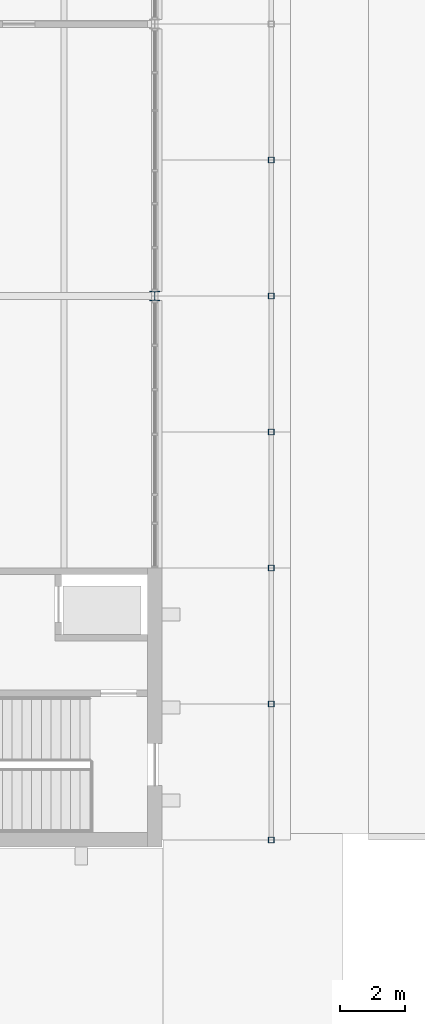
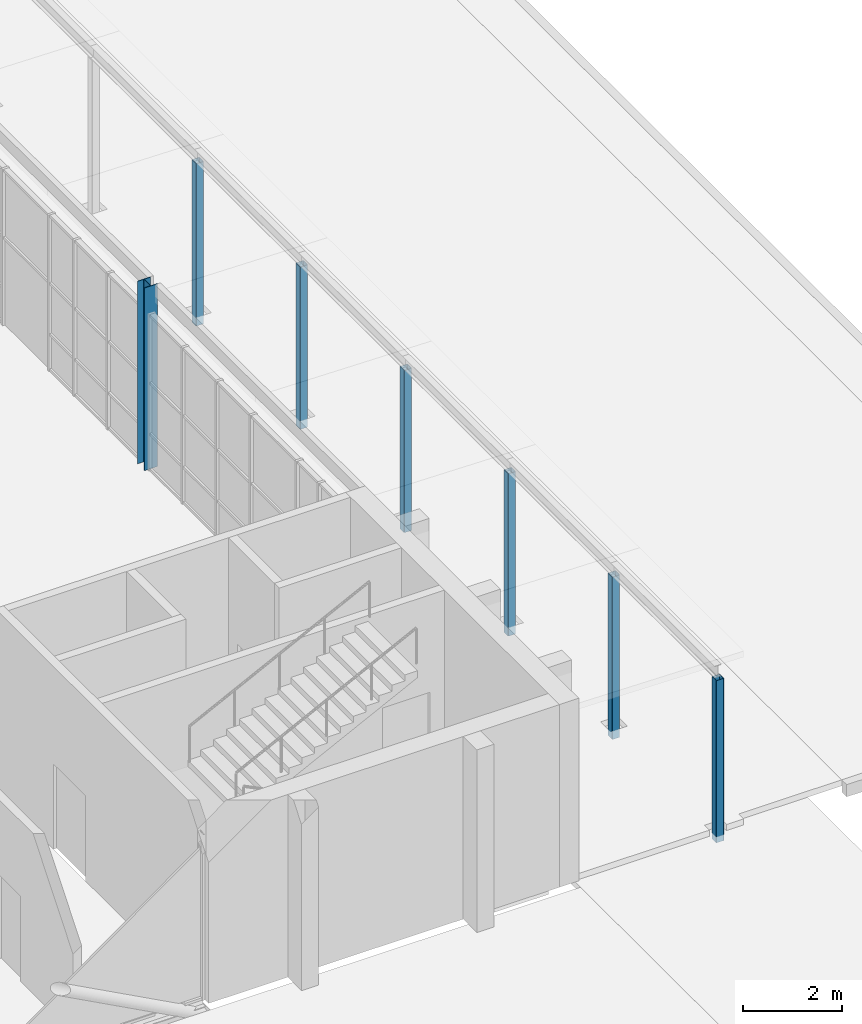
# One storey, part 17 of 116: 7 columns.
"""IFC4 building model written with IfcOpenShell, lengths in metres."""

from ifc_helpers import new_model, si_unit, direction, frame, origin, origin_2d, place, context, subcontext, project, spatial, hollow_rectangle, i_section, extrude, material, material_profile, profile_set, type_object, element, save


model = new_model("IFC4")

# Units and contexts
model_context = context("Model", 3, precision=1e-05, world=origin(), true_north=direction((0.0, 1.0)))
body_context = subcontext(model_context, "Body", "Model", "MODEL_VIEW")
ifc_project = project(units=[si_unit("LENGTHUNIT", "METRE"), si_unit("AREAUNIT", "SQUARE_METRE"), si_unit("VOLUMEUNIT", "CUBIC_METRE"), si_unit("PLANEANGLEUNIT", "RADIAN"), si_unit("MASSUNIT", "GRAM", prefix="KILO")], contexts=[model_context])

# Site, building, storey
site_placement = place(None, origin())
site = spatial("IfcSite", under=ifc_project, at=site_placement, CompositionType="ELEMENT")
building_placement = place(site_placement, origin())
building = spatial("IfcBuilding", under=site, at=building_placement, Name="Ardhachandra Cancer Care Centre", CompositionType="ELEMENT")
storey_placement = place(building_placement, origin())
storey = spatial("IfcBuildingStorey", under=building, at=storey_placement, Name="L00", CompositionType="ELEMENT", Elevation=0.0)

# Columns
ifc_material_1 = material(Name="Steel E350 (IS 2062)", Category="steel")
ifc_material_profile_1 = material_profile(ifc_material_1, hollow_rectangle(XDim=0.179931640625, YDim=0.179931640625, WallThickness=0.008056640625, InnerFilletRadius=0.008056640625, OuterFilletRadius=0.01611328125, at=origin_2d()), Name="SHS 180x180x8.0")
ifc_profile_set_1 = profile_set([ifc_material_profile_1], Name="Steel E350 (IS 2062)")
column_type_1 = type_object("IfcColumnType", Name="Arcade column SHS 180x180x8.0", PredefinedType="COLUMN", material=ifc_profile_set_1)
for number, where, z_axis, x_axis, name in (
    (1, (148.800048828125, 29.39990234375, -0.300048828125), (0.0, 0.0, 1.0), (1.0, 0.0, 0.0), "Arcade column 1"),
    (2, (148.800048828125, 33.60009765625, -0.300048828125), (0.0, 0.0, 1.0), (1.0, 0.0, 0.0), "Arcade column 2"),
    (3, (148.800048828125, 37.800048828125, -0.300048828125), (0.0, 0.0, 1.0), (1.0, 0.0, 0.0), "Arcade column 3"),
    (4, (148.800048828125, 42.0, -0.300048828125), (0.0, 0.0, 1.0), (1.0, 0.0, 0.0), "Arcade column 4"),
    (5, (148.800048828125, 46.199951171875, -0.300048828125), (0.0, 0.0, 1.0), (1.0, 0.0, 0.0), "Arcade column 5"),
    (6, (148.800048828125, 50.39990234375, -0.300048828125), (0.0, 0.0, 1.0), (1.0, 0.0, 0.0), "Arcade column 6"),
):
    element("IfcColumn", number, at=place(storey_placement, frame(where, z_axis=z_axis, x_axis=x_axis)), inside=storey, type_object=column_type_1, Name=name, PredefinedType="COLUMN", context=body_context, shape_type="SweptSolid", body=[
        extrude(hollow_rectangle(XDim=0.179931640625, YDim=0.179931640625, WallThickness=0.008056640625, InnerFilletRadius=0.008056640625, OuterFilletRadius=0.01611328125, at=origin_2d()), origin(), (0.0, 0.0, 1.0), 3.996826171875),
    ])
ifc_material_2 = material(Name="Steel E350 (IS 2062)", Category="steel")
ifc_material_profile_2 = material_profile(ifc_material_2, i_section(OverallWidth=0.300048828125, OverallDepth=0.2900390625, WebThickness=0.008544921875, FlangeThickness=0.013916015625, FilletRadius=0.027099609375, at=origin_2d()), Name="WPB 300x300x88.33")
ifc_profile_set_2 = profile_set([ifc_material_profile_2], Name="Steel E350 (IS 2062)")
column_type_2 = type_object("IfcColumnType", Name="Column WPB 300x300x88.33", PredefinedType="COLUMN", material=ifc_profile_set_2)
column_placement = place(storey_placement, frame((145.199951171875, 46.199951171875, 0.0), z_axis=(0.0, 0.0, 1.0), x_axis=(1.0, 0.0, 0.0)))
element("IfcColumn", 7, at=column_placement, inside=storey, type_object=column_type_2, Name="Column E17 L00", PredefinedType="COLUMN", context=body_context, shape_type="SweptSolid", body=[
    extrude(i_section(OverallWidth=0.300048828125, OverallDepth=0.2900390625, WebThickness=0.008544921875, FlangeThickness=0.013916015625, FilletRadius=0.027099609375, at=origin_2d()), origin(), (0.0, 0.0, 1.0), 4.5),
])

save(model, "model.ifc")
